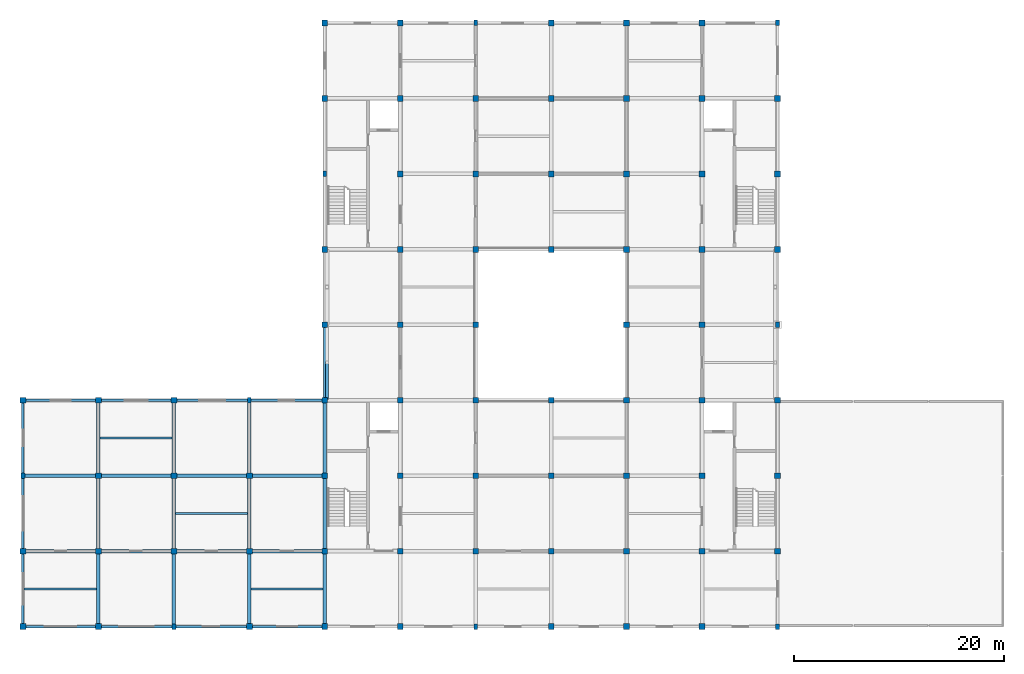
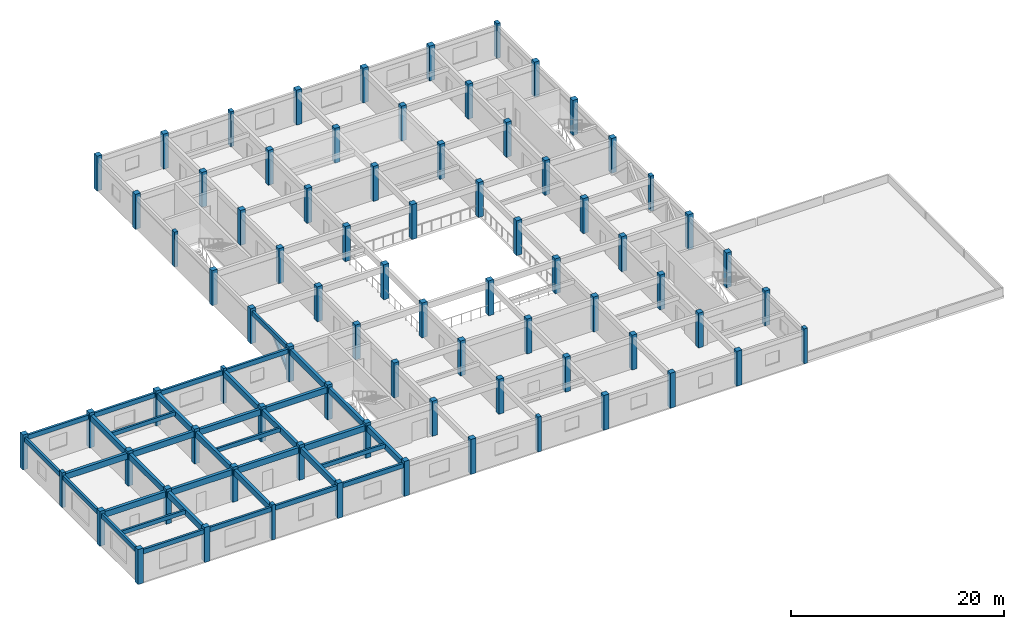
# One storey, part 1 of 8: 78 columns, 36 beams, 1 member.
"""IFC4 building model written with IfcOpenShell, lengths in metres."""

from ifc_helpers import new_model, si_unit, direction, frame, origin, origin_2d, place, context, subcontext, project, spatial, rectangle, extrude, material, material_profile, profile_set, type_object, element, save


model = new_model("IFC4")

# Units and contexts
model_context = context("Model", 3, precision=1e-05, world=origin(), true_north=direction((0.0, 1.0)))
body_context = subcontext(model_context, "Body", "Model", "MODEL_VIEW")
ifc_project = project(units=[si_unit("LENGTHUNIT", "METRE"), si_unit("AREAUNIT", "SQUARE_METRE"), si_unit("VOLUMEUNIT", "CUBIC_METRE"), si_unit("PLANEANGLEUNIT", "RADIAN"), si_unit("MASSUNIT", "GRAM", prefix="KILO")], contexts=[model_context])

# Site, building, storey
site_placement = place(None, origin())
site = spatial("IfcSite", under=ifc_project, at=site_placement, CompositionType="ELEMENT")
building_placement = place(site_placement, origin())
building = spatial("IfcBuilding", under=site, at=building_placement, Name="Cendaluz Park School", CompositionType="ELEMENT")
storey_placement = place(building_placement, frame((0.0, 0.0, 42.800048828125)))
storey = spatial("IfcBuildingStorey", under=building, at=storey_placement, Name="L10", CompositionType="ELEMENT", Elevation=42.800048828125)

# Columns
ifc_material_1 = material(Name="Glulam GL32h", Category="wood")
ifc_material_profile_1 = material_profile(ifc_material_1, rectangle(XDim=0.56005859375, YDim=0.56005859375, at=origin_2d()), Name="GL32h 560x560", Category="wood")
ifc_profile_set_1 = profile_set([ifc_material_profile_1], Name="Glulam GL32h")
column_type_1 = type_object("IfcColumnType", Name="C-GL01", PredefinedType="COLUMN", material=ifc_profile_set_1)
for number, where, z_axis, x_axis, name in (
    (1, (36.0, 7.199951171875, 0.0), (0.0, 0.0, 1.0), (1.0, 0.0, 0.0), "C-L10-CGL01-001"),
    (2, (36.0, 14.39990234375, 0.0), (0.0, 0.0, 1.0), (1.0, 0.0, 0.0), "C-L10-CGL01-002"),
    (3, (36.0, 28.800048828125, 0.0), (0.0, 0.0, 1.0), (1.0, 0.0, 0.0), "C-L10-CGL01-004"),
    (4, (43.199951171875, 7.199951171875, 0.0), (0.0, 0.0, 1.0), (1.0, 0.0, 0.0), "C-L10-CGL01-005"),
    (5, (43.199951171875, 14.39990234375, 0.0), (0.0, 0.0, 1.0), (1.0, 0.0, 0.0), "C-L10-CGL01-006"),
    (6, (43.199951171875, 21.60009765625, 0.0), (0.0, 0.0, 1.0), (1.0, 0.0, 0.0), "C-L10-CGL01-007"),
    (7, (43.199951171875, 28.800048828125, 0.0), (0.0, 0.0, 1.0), (1.0, 0.0, 0.0), "C-L10-CGL01-008"),
    (8, (50.39990234375, 14.39990234375, 0.0), (0.0, 0.0, 1.0), (1.0, 0.0, 0.0), "C-L10-CGL01-010"),
    (9, (50.39990234375, 21.60009765625, 0.0), (0.0, 0.0, 1.0), (1.0, 0.0, 0.0), "C-L10-CGL01-011"),
    (10, (50.39990234375, 28.800048828125, 0.0), (0.0, 0.0, 1.0), (1.0, 0.0, 0.0), "C-L10-CGL01-012"),
    (11, (57.60009765625, 7.199951171875, 0.0), (0.0, 0.0, 1.0), (1.0, 0.0, 0.0), "C-L10-CGL01-013"),
    (12, (57.60009765625, 14.39990234375, 0.0), (0.0, 0.0, 1.0), (1.0, 0.0, 0.0), "C-L10-CGL01-014"),
    (13, (57.60009765625, 21.60009765625, 0.0), (0.0, 0.0, 1.0), (1.0, 0.0, 0.0), "C-L10-CGL01-015"),
    (14, (64.800048828125, 7.199951171875, 0.0), (0.0, 0.0, 1.0), (1.0, 0.0, 0.0), "C-L10-CGL01-017"),
    (15, (64.800048828125, 14.39990234375, 0.0), (0.0, 0.0, 1.0), (1.0, 0.0, 0.0), "C-L10-CGL01-018"),
    (16, (64.800048828125, 21.60009765625, 0.0), (0.0, 0.0, 1.0), (1.0, 0.0, 0.0), "C-L10-CGL01-019"),
    (17, (64.800048828125, 28.800048828125, 0.0), (0.0, 0.0, 1.0), (1.0, 0.0, 0.0), "C-L10-CGL01-020"),
    (18, (64.800048828125, 36.0, 0.0), (0.0, 0.0, 1.0), (1.0, 0.0, 0.0), "C-L10-CGL01-021"),
    (19, (64.800048828125, 43.199951171875, 0.0), (0.0, 0.0, 1.0), (1.0, 0.0, 0.0), "C-L10-CGL01-022"),
    (20, (64.800048828125, 57.60009765625, 0.0), (0.0, 0.0, 1.0), (1.0, 0.0, 0.0), "C-L10-CGL01-024"),
    (21, (64.800048828125, 64.800048828125, 0.0), (0.0, 0.0, 1.0), (1.0, 0.0, 0.0), "C-L10-CGL01-025"),
    (22, (72.0, 7.199951171875, 0.0), (0.0, 0.0, 1.0), (1.0, 0.0, 0.0), "C-L10-CGL01-026"),
    (23, (72.0, 14.39990234375, 0.0), (0.0, 0.0, 1.0), (1.0, 0.0, 0.0), "C-L10-CGL01-027"),
    (24, (72.0, 21.60009765625, 0.0), (0.0, 0.0, 1.0), (1.0, 0.0, 0.0), "C-L10-CGL01-028"),
    (25, (72.0, 28.800048828125, 0.0), (0.0, 0.0, 1.0), (1.0, 0.0, 0.0), "C-L10-CGL01-029"),
    (26, (72.0, 36.0, 0.0), (0.0, 0.0, 1.0), (1.0, 0.0, 0.0), "C-L10-CGL01-030"),
    (27, (72.0, 43.199951171875, 0.0), (0.0, 0.0, 1.0), (1.0, 0.0, 0.0), "C-L10-CGL01-031"),
    (28, (72.0, 50.39990234375, 0.0), (0.0, 0.0, 1.0), (1.0, 0.0, 0.0), "C-L10-CGL01-032"),
    (29, (72.0, 57.60009765625, 0.0), (0.0, 0.0, 1.0), (1.0, 0.0, 0.0), "C-L10-CGL01-033"),
    (30, (72.0, 64.800048828125, 0.0), (0.0, 0.0, 1.0), (1.0, 0.0, 0.0), "C-L10-CGL01-034"),
    (31, (79.199951171875, 14.39990234375, 0.0), (0.0, 0.0, 1.0), (1.0, 0.0, 0.0), "C-L10-CGL01-036"),
    (32, (79.199951171875, 21.60009765625, 0.0), (0.0, 0.0, 1.0), (1.0, 0.0, 0.0), "C-L10-CGL01-037"),
    (33, (79.199951171875, 28.800048828125, 0.0), (0.0, 0.0, 1.0), (1.0, 0.0, 0.0), "C-L10-CGL01-038"),
    (34, (79.199951171875, 36.0, 0.0), (0.0, 0.0, 1.0), (1.0, 0.0, 0.0), "C-L10-CGL01-039"),
    (35, (79.199951171875, 43.199951171875, 0.0), (0.0, 0.0, 1.0), (1.0, 0.0, 0.0), "C-L10-CGL01-040"),
    (36, (79.199951171875, 50.39990234375, 0.0), (0.0, 0.0, 1.0), (1.0, 0.0, 0.0), "C-L10-CGL01-041"),
    (37, (79.199951171875, 57.60009765625, 0.0), (0.0, 0.0, 1.0), (1.0, 0.0, 0.0), "C-L10-CGL01-042"),
    (38, (86.39990234375, 7.199951171875, 0.0), (0.0, 0.0, 1.0), (1.0, 0.0, 0.0), "C-L10-CGL01-044"),
    (39, (86.39990234375, 14.39990234375, 0.0), (0.0, 0.0, 1.0), (1.0, 0.0, 0.0), "C-L10-CGL01-045"),
    (40, (86.39990234375, 21.60009765625, 0.0), (0.0, 0.0, 1.0), (1.0, 0.0, 0.0), "C-L10-CGL01-046"),
    (41, (86.39990234375, 28.800048828125, 0.0), (0.0, 0.0, 1.0), (1.0, 0.0, 0.0), "C-L10-CGL01-047"),
    (42, (86.39990234375, 43.199951171875, 0.0), (0.0, 0.0, 1.0), (1.0, 0.0, 0.0), "C-L10-CGL01-048"),
    (43, (86.39990234375, 50.39990234375, 0.0), (0.0, 0.0, 1.0), (1.0, 0.0, 0.0), "C-L10-CGL01-049"),
    (44, (86.39990234375, 57.60009765625, 0.0), (0.0, 0.0, 1.0), (1.0, 0.0, 0.0), "C-L10-CGL01-050"),
    (45, (86.39990234375, 64.800048828125, 0.0), (0.0, 0.0, 1.0), (1.0, 0.0, 0.0), "C-L10-CGL01-051"),
    (46, (93.60009765625, 7.199951171875, 0.0), (0.0, 0.0, 1.0), (1.0, 0.0, 0.0), "C-L10-CGL01-052"),
    (47, (93.60009765625, 14.39990234375, 0.0), (0.0, 0.0, 1.0), (1.0, 0.0, 0.0), "C-L10-CGL01-053"),
    (48, (93.60009765625, 21.60009765625, 0.0), (0.0, 0.0, 1.0), (1.0, 0.0, 0.0), "C-L10-CGL01-054"),
    (49, (93.60009765625, 28.800048828125, 0.0), (0.0, 0.0, 1.0), (1.0, 0.0, 0.0), "C-L10-CGL01-055"),
    (50, (93.60009765625, 36.0, 0.0), (0.0, 0.0, 1.0), (1.0, 0.0, 0.0), "C-L10-CGL01-056"),
    (51, (93.60009765625, 43.199951171875, 0.0), (0.0, 0.0, 1.0), (1.0, 0.0, 0.0), "C-L10-CGL01-057"),
    (52, (93.60009765625, 50.39990234375, 0.0), (0.0, 0.0, 1.0), (1.0, 0.0, 0.0), "C-L10-CGL01-058"),
    (53, (93.60009765625, 57.60009765625, 0.0), (0.0, 0.0, 1.0), (1.0, 0.0, 0.0), "C-L10-CGL01-059"),
    (54, (93.60009765625, 64.800048828125, 0.0), (0.0, 0.0, 1.0), (1.0, 0.0, 0.0), "C-L10-CGL01-060"),
    (55, (100.800048828125, 7.199951171875, 0.0), (0.0, 0.0, 1.0), (1.0, 0.0, 0.0), "C-L10-CGL01-061"),
    (56, (100.800048828125, 14.39990234375, 0.0), (0.0, 0.0, 1.0), (1.0, 0.0, 0.0), "C-L10-CGL01-062"),
    (57, (100.800048828125, 21.60009765625, 0.0), (0.0, 0.0, 1.0), (1.0, 0.0, 0.0), "C-L10-CGL01-063"),
    (58, (100.800048828125, 28.800048828125, 0.0), (0.0, 0.0, 1.0), (1.0, 0.0, 0.0), "C-L10-CGL01-064"),
    (59, (100.800048828125, 36.0, 0.0), (0.0, 0.0, 1.0), (1.0, 0.0, 0.0), "C-L10-CGL01-065"),
    (60, (100.800048828125, 43.199951171875, 0.0), (0.0, 0.0, 1.0), (1.0, 0.0, 0.0), "C-L10-CGL01-066"),
    (61, (100.800048828125, 50.39990234375, 0.0), (0.0, 0.0, 1.0), (1.0, 0.0, 0.0), "C-L10-CGL01-067"),
    (62, (100.800048828125, 57.60009765625, 0.0), (0.0, 0.0, 1.0), (1.0, 0.0, 0.0), "C-L10-CGL01-068"),
    (63, (100.800048828125, 64.800048828125, 0.0), (0.0, 0.0, 1.0), (1.0, 0.0, 0.0), "C-L10-CGL01-069"),
    (64, (108.0, 14.39990234375, 0.0), (0.0, 0.0, 1.0), (1.0, 0.0, 0.0), "C-L10-CGL01-071"),
    (65, (108.0, 21.60009765625, 0.0), (0.0, 0.0, 1.0), (1.0, 0.0, 0.0), "C-L10-CGL01-072"),
    (66, (108.0, 28.800048828125, 0.0), (0.0, 0.0, 1.0), (1.0, 0.0, 0.0), "C-L10-CGL01-073"),
    (67, (108.0, 43.199951171875, 0.0), (0.0, 0.0, 1.0), (1.0, 0.0, 0.0), "C-L10-CGL01-075"),
    (68, (108.0, 50.39990234375, 0.0), (0.0, 0.0, 1.0), (1.0, 0.0, 0.0), "C-L10-CGL01-076"),
    (69, (108.0, 57.60009765625, 0.0), (0.0, 0.0, 1.0), (1.0, 0.0, 0.0), "C-L10-CGL01-077"),
):
    element("IfcColumn", number, at=place(storey_placement, frame(where, z_axis=z_axis, x_axis=x_axis)), inside=storey, type_object=column_type_1, Name=name, PredefinedType="COLUMN", context=body_context, shape_type="SweptSolid", body=[
        extrude(rectangle(XDim=0.56005859375, YDim=0.56005859375, at=origin_2d()), origin(), (0.0, 0.0, 1.0), 4.0),
    ])
ifc_material_profile_2 = material_profile(ifc_material_1, rectangle(XDim=0.360107421875, YDim=0.52001953125, at=origin_2d()), Name="GL32h 360x520", Category="wood")
ifc_profile_set_2 = profile_set([ifc_material_profile_2], Name="Glulam GL32h")
column_type_2 = type_object("IfcColumnType", Name="C-PL02", PredefinedType="PILASTER", material=ifc_profile_set_2)
for number, where, z_axis, x_axis, name in (
    (70, (36.0, 21.60009765625, 0.0), (0.0, 0.0, 1.0), (1.0, 0.0, 0.0), "C-L10-CPL02-003"),
    (71, (50.39990234375, 7.199951171875, 0.0), (0.0, 0.0, 1.0), (1.0, 0.0, 0.0), "C-L10-CPL02-009"),
    (72, (57.60009765625, 28.800048828125, 0.0), (0.0, 0.0, 1.0), (1.0, 0.0, 0.0), "C-L10-CPL02-016"),
    (73, (64.800048828125, 50.39990234375, 0.0), (0.0, 0.0, 1.0), (1.0, 0.0, 0.0), "C-L10-CPL02-023"),
    (74, (79.199951171875, 7.199951171875, 0.0), (0.0, 0.0, 1.0), (1.0, 0.0, 0.0), "C-L10-CPL02-035"),
    (75, (79.199951171875, 64.800048828125, 0.0), (0.0, 0.0, 1.0), (1.0, 0.0, 0.0), "C-L10-CPL02-043"),
    (76, (108.0, 7.199951171875, 0.0), (0.0, 0.0, 1.0), (1.0, 0.0, 0.0), "C-L10-CPL02-070"),
    (77, (108.0, 36.0, 0.0), (0.0, 0.0, 1.0), (1.0, 0.0, 0.0), "C-L10-CPL02-074"),
    (78, (108.0, 64.800048828125, 0.0), (0.0, 0.0, 1.0), (1.0, 0.0, 0.0), "C-L10-CPL02-078"),
):
    element("IfcColumn", number, at=place(storey_placement, frame(where, z_axis=z_axis, x_axis=x_axis)), inside=storey, type_object=column_type_2, Name=name, PredefinedType="PILASTER", context=body_context, shape_type="SweptSolid", body=[
        extrude(rectangle(XDim=0.360107421875, YDim=0.52001953125, at=origin_2d()), origin(), (0.0, 0.0, 1.0), 4.0),
    ])

# Beams
ifc_material_2 = material(Name="Glulam GL28h", Category="wood")
ifc_material_profile_3 = material_profile(ifc_material_2, rectangle(XDim=0.320068359375, YDim=0.679931640625, at=origin_2d()), Name="GL28h 320x680", Category="wood")
ifc_profile_set_3 = profile_set([ifc_material_profile_3], Name="Glulam GL28h")
beam_type_1 = type_object("IfcBeamType", Name="BM-GL01", PredefinedType="BEAM", material=ifc_profile_set_3)
beam_1_placement = place(storey_placement, frame((36.280029296875, 14.39990234375, 3.35986328125), z_axis=(1.0, 0.0, 0.0), x_axis=(0.0, 1.0, 0.0)))
element("IfcBeam", 79, at=beam_1_placement, inside=storey, type_object=beam_type_1, Name="BM-L10-BMGL01-0002", PredefinedType="BEAM", context=body_context, shape_type="SweptSolid", body=[
    extrude(rectangle(XDim=0.320068359375, YDim=0.679931640625, at=origin_2d()), origin(), (0.0, 0.0, 1.0), 6.639892578125),
])
beam_2_placement = place(storey_placement, frame((36.179931640625, 21.60009765625, 3.35986328125), z_axis=(1.0, 0.0, 0.0), x_axis=(0.0, 1.0, 0.0)))
element("IfcBeam", 80, at=beam_2_placement, inside=storey, type_object=beam_type_1, Name="BM-L10-BMGL01-0003", PredefinedType="BEAM", context=body_context, shape_type="SweptSolid", body=[
    extrude(rectangle(XDim=0.320068359375, YDim=0.679931640625, at=origin_2d()), origin(), (0.0, 0.0, 1.0), 6.739990234375),
])
for number, where, z_axis, x_axis, name in (
    (81, (43.47998046875, 14.39990234375, 3.35986328125), (1.0, 0.0, 0.0), (0.0, 1.0, 0.0), "BM-L10-BMGL01-0006"),
    (82, (43.47998046875, 21.60009765625, 3.35986328125), (1.0, 0.0, 0.0), (0.0, 1.0, 0.0), "BM-L10-BMGL01-0007"),
    (83, (50.679931640625, 14.39990234375, 3.35986328125), (1.0, 0.0, 0.0), (0.0, 1.0, 0.0), "BM-L10-BMGL01-0010"),
    (84, (50.679931640625, 21.60009765625, 3.35986328125), (1.0, 0.0, 0.0), (0.0, 1.0, 0.0), "BM-L10-BMGL01-0011"),
    (85, (57.8798828125, 14.39990234375, 3.35986328125), (1.0, 0.0, 0.0), (0.0, 1.0, 0.0), "BM-L10-BMGL01-0014"),
    (86, (57.8798828125, 21.60009765625, 3.35986328125), (1.0, 0.0, 0.0), (0.0, 1.0, 0.0), "BM-L10-BMGL01-0015"),
    (87, (43.199951171875, 7.47998046875, 3.35986328125), (0.0, 1.0, 0.0), (-1.0, 0.0, 0.0), "BM-L10-BMGL01-0068"),
    (88, (43.199951171875, 14.679931640625, 3.35986328125), (0.0, 1.0, 0.0), (-1.0, 0.0, 0.0), "BM-L10-BMGL01-0069"),
    (89, (43.199951171875, 21.8798828125, 3.35986328125), (0.0, 1.0, 0.0), (-1.0, 0.0, 0.0), "BM-L10-BMGL01-0070"),
):
    element("IfcBeam", number, at=place(storey_placement, frame(where, z_axis=z_axis, x_axis=x_axis)), inside=storey, type_object=beam_type_1, Name=name, PredefinedType="BEAM", context=body_context, shape_type="SweptSolid", body=[
        extrude(rectangle(XDim=0.320068359375, YDim=0.679931640625, at=origin_2d()), origin(), (0.0, 0.0, 1.0), 6.64013671875),
    ])
beam_3_placement = place(storey_placement, frame((50.39990234375, 7.4599609375, 3.35986328125), z_axis=(0.0, 1.0, 0.0), x_axis=(-1.0, 0.0, 0.0)))
element("IfcBeam", 90, at=beam_3_placement, inside=storey, type_object=beam_type_1, Name="BM-L10-BMGL01-0071", PredefinedType="BEAM", context=body_context, shape_type="SweptSolid", body=[
    extrude(rectangle(XDim=0.320068359375, YDim=0.679931640625, at=origin_2d()), origin(), (0.0, 0.0, 1.0), 6.66015625),
])
for number, where, z_axis, x_axis, name in (
    (91, (50.39990234375, 14.679931640625, 3.35986328125), (0.0, 1.0, 0.0), (-1.0, 0.0, 0.0), "BM-L10-BMGL01-0072"),
    (92, (50.39990234375, 21.8798828125, 3.35986328125), (0.0, 1.0, 0.0), (-1.0, 0.0, 0.0), "BM-L10-BMGL01-0073"),
    (93, (57.60009765625, 7.47998046875, 3.35986328125), (0.0, 1.0, 0.0), (-1.0, 0.0, 0.0), "BM-L10-BMGL01-0074"),
    (94, (57.60009765625, 14.679931640625, 3.35986328125), (0.0, 1.0, 0.0), (-1.0, 0.0, 0.0), "BM-L10-BMGL01-0075"),
):
    element("IfcBeam", number, at=place(storey_placement, frame(where, z_axis=z_axis, x_axis=x_axis)), inside=storey, type_object=beam_type_1, Name=name, PredefinedType="BEAM", context=body_context, shape_type="SweptSolid", body=[
        extrude(rectangle(XDim=0.320068359375, YDim=0.679931640625, at=origin_2d()), origin(), (0.0, 0.0, 1.0), 6.64013671875),
    ])
beam_4_placement = place(storey_placement, frame((57.60009765625, 21.8798828125, 3.35986328125), z_axis=(0.0, 1.0, 0.0), x_axis=(-1.0, 0.0, 0.0)))
element("IfcBeam", 95, at=beam_4_placement, inside=storey, type_object=beam_type_1, Name="BM-L10-BMGL01-0076", PredefinedType="BEAM", context=body_context, shape_type="SweptSolid", body=[
    extrude(rectangle(XDim=0.320068359375, YDim=0.679931640625, at=origin_2d()), origin(), (0.0, 0.0, 1.0), 6.66015625),
])
for number, where, z_axis, x_axis, name in (
    (96, (64.800048828125, 7.47998046875, 3.35986328125), (0.0, 1.0, 0.0), (-1.0, 0.0, 0.0), "BM-L10-BMGL01-0077"),
    (97, (64.800048828125, 14.679931640625, 3.35986328125), (0.0, 1.0, 0.0), (-1.0, 0.0, 0.0), "BM-L10-BMGL01-0078"),
    (98, (64.800048828125, 21.8798828125, 3.35986328125), (0.0, 1.0, 0.0), (-1.0, 0.0, 0.0), "BM-L10-BMGL01-0079"),
):
    element("IfcBeam", number, at=place(storey_placement, frame(where, z_axis=z_axis, x_axis=x_axis)), inside=storey, type_object=beam_type_1, Name=name, PredefinedType="BEAM", context=body_context, shape_type="SweptSolid", body=[
        extrude(rectangle(XDim=0.320068359375, YDim=0.679931640625, at=origin_2d()), origin(), (0.0, 0.0, 1.0), 6.64013671875),
    ])
ifc_material_profile_4 = material_profile(ifc_material_2, rectangle(XDim=0.239990234375, YDim=0.52001953125, at=origin_2d()), Name="GL28h 240x520", Category="wood")
ifc_profile_set_4 = profile_set([ifc_material_profile_4], Name="Glulam GL28h")
beam_type_2 = type_object("IfcBeamType", Name="BM-GL03", PredefinedType="SPANDREL", material=ifc_profile_set_4)
for number, where, z_axis, x_axis, name in (
    (99, (36.280029296875, 7.199951171875, 3.43994140625), (1.0, 0.0, 0.0), (0.0, 1.0, 0.0), "BM-L10-BMGL03-0001"),
    (100, (36.280029296875, 28.800048828125, 3.43994140625), (1.0, 0.0, 0.0), (0.0, 1.0, 0.0), "BM-L10-BMGL03-0004"),
):
    element("IfcBeam", number, at=place(storey_placement, frame(where, z_axis=z_axis, x_axis=x_axis)), inside=storey, type_object=beam_type_2, Name=name, PredefinedType="SPANDREL", context=body_context, shape_type="SweptSolid", body=[
        extrude(rectangle(XDim=0.239990234375, YDim=0.52001953125, at=origin_2d()), origin(), (0.0, 0.0, 1.0), 6.639892578125),
    ])
beam_5_placement = place(storey_placement, frame((43.47998046875, 7.199951171875, 3.43994140625), z_axis=(1.0, 0.0, 0.0), x_axis=(0.0, 1.0, 0.0)))
element("IfcBeam", 101, at=beam_5_placement, inside=storey, type_object=beam_type_2, Name="BM-L10-BMGL03-0005", PredefinedType="SPANDREL", context=body_context, shape_type="SweptSolid", body=[
    extrude(rectangle(XDim=0.239990234375, YDim=0.52001953125, at=origin_2d()), origin(), (0.0, 0.0, 1.0), 6.739990234375),
])
beam_6_placement = place(storey_placement, frame((43.47998046875, 28.800048828125, 3.43994140625), z_axis=(1.0, 0.0, 0.0), x_axis=(0.0, 1.0, 0.0)))
element("IfcBeam", 102, at=beam_6_placement, inside=storey, type_object=beam_type_2, Name="BM-L10-BMGL03-0008", PredefinedType="SPANDREL", context=body_context, shape_type="SweptSolid", body=[
    extrude(rectangle(XDim=0.239990234375, YDim=0.52001953125, at=origin_2d()), origin(), (0.0, 0.0, 1.0), 6.64013671875),
])
for number, where, z_axis, x_axis, name in (
    (103, (50.580078125, 7.199951171875, 3.43994140625), (1.0, 0.0, 0.0), (0.0, 1.0, 0.0), "BM-L10-BMGL03-0009"),
    (104, (50.679931640625, 28.800048828125, 3.43994140625), (1.0, 0.0, 0.0), (0.0, 1.0, 0.0), "BM-L10-BMGL03-0012"),
):
    element("IfcBeam", number, at=place(storey_placement, frame(where, z_axis=z_axis, x_axis=x_axis)), inside=storey, type_object=beam_type_2, Name=name, PredefinedType="SPANDREL", context=body_context, shape_type="SweptSolid", body=[
        extrude(rectangle(XDim=0.239990234375, YDim=0.52001953125, at=origin_2d()), origin(), (0.0, 0.0, 1.0), 6.739990234375),
    ])
beam_7_placement = place(storey_placement, frame((57.8798828125, 7.199951171875, 3.43994140625), z_axis=(1.0, 0.0, 0.0), x_axis=(0.0, 1.0, 0.0)))
element("IfcBeam", 105, at=beam_7_placement, inside=storey, type_object=beam_type_2, Name="BM-L10-BMGL03-0013", PredefinedType="SPANDREL", context=body_context, shape_type="SweptSolid", body=[
    extrude(rectangle(XDim=0.239990234375, YDim=0.52001953125, at=origin_2d()), origin(), (0.0, 0.0, 1.0), 6.64013671875),
])
beam_8_placement = place(storey_placement, frame((57.780029296875, 28.800048828125, 3.43994140625), z_axis=(1.0, 0.0, 0.0), x_axis=(0.0, 1.0, 0.0)))
element("IfcBeam", 106, at=beam_8_placement, inside=storey, type_object=beam_type_2, Name="BM-L10-BMGL03-0016", PredefinedType="SPANDREL", context=body_context, shape_type="SweptSolid", body=[
    extrude(rectangle(XDim=0.239990234375, YDim=0.52001953125, at=origin_2d()), origin(), (0.0, 0.0, 1.0), 6.739990234375),
])
beam_9_placement = place(storey_placement, frame((36.0, 7.47998046875, 3.43994140625), z_axis=(0.0, 1.0, 0.0), x_axis=(-1.0, 0.0, 0.0)))
element("IfcBeam", 107, at=beam_9_placement, inside=storey, type_object=beam_type_2, Name="BM-L10-BMGL03-0065", PredefinedType="SPANDREL", context=body_context, shape_type="SweptSolid", body=[
    extrude(rectangle(XDim=0.239990234375, YDim=0.52001953125, at=origin_2d()), origin(), (0.0, 0.0, 1.0), 6.64013671875),
])
beam_10_placement = place(storey_placement, frame((36.0, 14.679931640625, 3.43994140625), z_axis=(0.0, 1.0, 0.0), x_axis=(-1.0, 0.0, 0.0)))
element("IfcBeam", 108, at=beam_10_placement, inside=storey, type_object=beam_type_2, Name="BM-L10-BMGL03-0066", PredefinedType="SPANDREL", context=body_context, shape_type="SweptSolid", body=[
    extrude(rectangle(XDim=0.239990234375, YDim=0.52001953125, at=origin_2d()), origin(), (0.0, 0.0, 1.0), 6.66015625),
])
beam_11_placement = place(storey_placement, frame((36.0, 21.860107421875, 3.43994140625), z_axis=(0.0, 1.0, 0.0), x_axis=(-1.0, 0.0, 0.0)))
element("IfcBeam", 109, at=beam_11_placement, inside=storey, type_object=beam_type_2, Name="BM-L10-BMGL03-0067", PredefinedType="SPANDREL", context=body_context, shape_type="SweptSolid", body=[
    extrude(rectangle(XDim=0.239990234375, YDim=0.52001953125, at=origin_2d()), origin(), (0.0, 0.0, 1.0), 6.659912109375),
])
beam_12_placement = place(storey_placement, frame((64.800048828125, 29.080078125, 3.43994140625), z_axis=(0.0, 1.0, 0.0), x_axis=(-1.0, 0.0, 0.0)))
element("IfcBeam", 110, at=beam_12_placement, inside=storey, type_object=beam_type_2, Name="BM-L10-BMGL03-0080", PredefinedType="SPANDREL", context=body_context, shape_type="SweptSolid", body=[
    extrude(rectangle(XDim=0.239990234375, YDim=0.52001953125, at=origin_2d()), origin(), (0.0, 0.0, 1.0), 6.639892578125),
])
ifc_material_profile_5 = material_profile(ifc_material_2, rectangle(XDim=0.219970703125, YDim=0.4599609375, at=origin_2d()), Name="GL28h 220x460", Category="wood")
ifc_profile_set_5 = profile_set([ifc_material_profile_5], Name="Glulam GL28h")
beam_type_3 = type_object("IfcBeamType", Name="JT-GL01", PredefinedType="JOIST", material=ifc_profile_set_5)
beam_13_placement = place(storey_placement, frame((36.1201171875, 10.800048828125, 3.469970703125), z_axis=(1.0, 0.0, 0.0), x_axis=(0.0, 1.0, 0.0)))
element("IfcBeam", 111, at=beam_13_placement, inside=storey, type_object=beam_type_3, Name="BM-L10-JTGL01-0131", PredefinedType="JOIST", context=body_context, shape_type="SweptSolid", body=[
    extrude(rectangle(XDim=0.219970703125, YDim=0.4599609375, at=origin_2d()), origin(), (0.0, 0.0, 1.0), 6.919921875),
])
for number, where, z_axis, x_axis, name in (
    (112, (43.360107421875, 25.199951171875, 3.469970703125), (1.0, 0.0, 0.0), (0.0, 1.0, 0.0), "BM-L10-JTGL01-0132"),
    (113, (50.56005859375, 18.0, 3.469970703125), (1.0, 0.0, 0.0), (0.0, 1.0, 0.0), "BM-L10-JTGL01-0133"),
    (114, (57.760009765625, 10.800048828125, 3.469970703125), (1.0, 0.0, 0.0), (0.0, 1.0, 0.0), "BM-L10-JTGL01-0134"),
):
    element("IfcBeam", number, at=place(storey_placement, frame(where, z_axis=z_axis, x_axis=x_axis)), inside=storey, type_object=beam_type_3, Name=name, PredefinedType="JOIST", context=body_context, shape_type="SweptSolid", body=[
        extrude(rectangle(XDim=0.219970703125, YDim=0.4599609375, at=origin_2d()), origin(), (0.0, 0.0, 1.0), 6.8798828125),
    ])

# Member
ifc_material_profile_6 = material_profile(ifc_material_1, rectangle(XDim=0.300048828125, YDim=0.300048828125, at=origin_2d()), Name="GL32h 300x300", Category="wood")
ifc_profile_set_6 = profile_set([ifc_material_profile_6], Name="Glulam GL32h")
member_type = type_object("IfcMemberType", Name="MBR-03", PredefinedType="BRACE", material=ifc_profile_set_6)
member_placement = place(storey_placement, frame((65.02001953125, 28.97998046875, 0.0), z_axis=(0.0, 0.730200103242, 0.683233349029), x_axis=(-1.0, 0.0, 0.0)))
element("IfcMember", 115, at=member_placement, inside=storey, type_object=member_type, Name="MB-L10-MBBR03-0001", PredefinedType="BRACE", context=body_context, shape_type="SweptSolid", body=[
    extrude(rectangle(XDim=0.300048828125, YDim=0.300048828125, at=origin_2d()), origin(), (0.0, 0.0, 1.0), 4.68359375),
])

save(model, "model.ifc")
